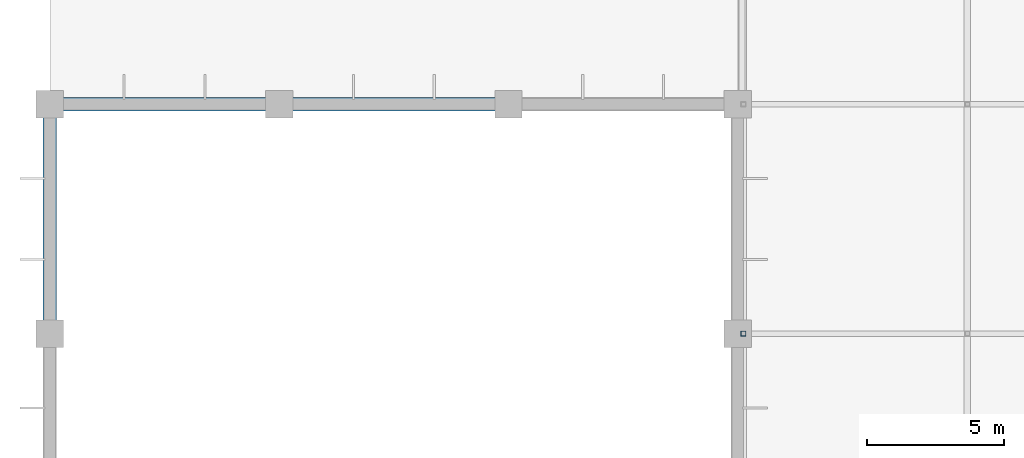
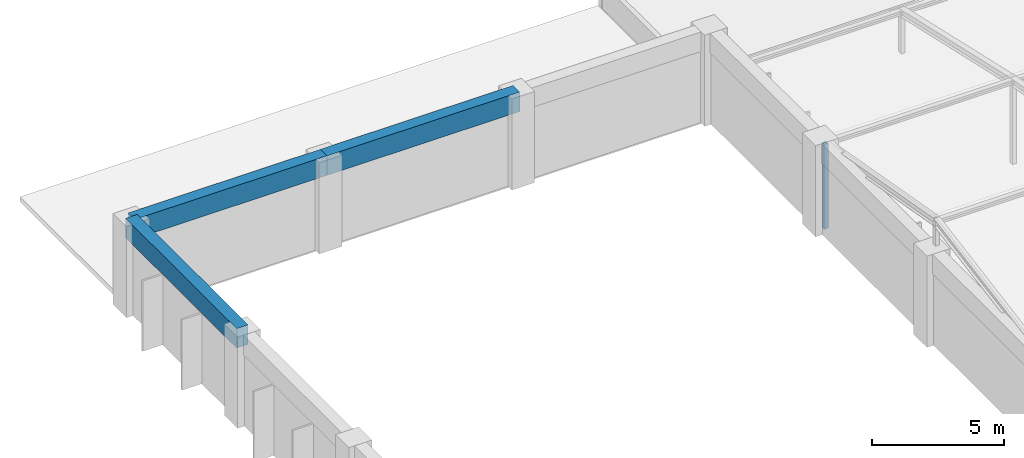
# One storey, part 12 of 34: 3 beams, 1 member.
"""IFC4 building model written with IfcOpenShell, lengths in metres."""

from ifc_helpers import new_model, si_unit, direction, frame, origin, origin_2d, place, context, subcontext, project, spatial, rectangle, hollow_rectangle, extrude, material, material_profile, profile_set, type_object, element, save


model = new_model("IFC4")

# Units and contexts
model_context = context("Model", 3, precision=1e-05, world=origin(), true_north=direction((0.0, 1.0)))
body_context = subcontext(model_context, "Body", "Model", "MODEL_VIEW")
ifc_project = project(units=[si_unit("LENGTHUNIT", "METRE"), si_unit("AREAUNIT", "SQUARE_METRE"), si_unit("VOLUMEUNIT", "CUBIC_METRE"), si_unit("PLANEANGLEUNIT", "RADIAN"), si_unit("MASSUNIT", "GRAM", prefix="KILO")], contexts=[model_context])

# Site, building, storey
site_placement = place(None, origin())
site = spatial("IfcSite", under=ifc_project, at=site_placement, CompositionType="ELEMENT")
building_placement = place(site_placement, origin())
building = spatial("IfcBuilding", under=site, at=building_placement, Name="Xuanlan Plaza Opera House", CompositionType="ELEMENT")
storey_placement = place(building_placement, frame((0.0, 0.0, 27.89990234375)))
storey = spatial("IfcBuildingStorey", under=building, at=storey_placement, Name="L06", CompositionType="ELEMENT", Elevation=27.89990234375)

# Beams
ifc_material_1 = material(Name="Concrete C40", Category="concrete")
ifc_material_profile_1 = material_profile(ifc_material_1, rectangle(XDim=0.5, YDim=0.89990234375, at=origin_2d()), Name="RC-BM 500x900")
ifc_profile_set_1 = profile_set([ifc_material_profile_1], Name="Concrete C40")
beam_type = type_object("IfcBeamType", Name="STR-BM-B-03", PredefinedType="BEAM", material=ifc_profile_set_1)
beam_1_placement = place(storey_placement, frame((42.0, 67.199951171875, 3.75), z_axis=(0.0, 1.0, 0.0), x_axis=(-1.0, 0.0, 0.0)))
element("IfcBeam", 1, at=beam_1_placement, inside=storey, type_object=beam_type, Name="Fly Tower Ring Beam Y L06 6/I-J", PredefinedType="BEAM", context=body_context, shape_type="SweptSolid", body=[
    extrude(rectangle(XDim=0.5, YDim=0.89990234375, at=origin_2d()), origin(), (0.0, 0.0, 1.0), 8.400146484375),
])
beam_2_placement = place(storey_placement, frame((42.0, 75.60009765625, 3.75), z_axis=(1.0, 0.0, 0.0), x_axis=(0.0, 1.0, 0.0)))
element("IfcBeam", 2, at=beam_2_placement, inside=storey, type_object=beam_type, Name="Fly Tower Ring Beam X L06 6-7/J", PredefinedType="BEAM", context=body_context, shape_type="SweptSolid", body=[
    extrude(rectangle(XDim=0.5, YDim=0.89990234375, at=origin_2d()), origin(), (0.0, 0.0, 1.0), 8.39990234375),
])
beam_3_placement = place(storey_placement, frame((50.39990234375, 75.60009765625, 3.75), z_axis=(1.0, 0.0, 0.0), x_axis=(0.0, 1.0, 0.0)))
element("IfcBeam", 3, at=beam_3_placement, inside=storey, type_object=beam_type, Name="Fly Tower Ring Beam X L06 7-8/J", PredefinedType="BEAM", context=body_context, shape_type="SweptSolid", body=[
    extrude(rectangle(XDim=0.5, YDim=0.89990234375, at=origin_2d()), origin(), (0.0, 0.0, 1.0), 8.400146484375),
])

# Member
ifc_material_2 = material(Name="Steel Q355B", Category="steel")
ifc_material_profile_2 = material_profile(ifc_material_2, hollow_rectangle(XDim=0.179931640625, YDim=0.179931640625, WallThickness=0.010009765625, at=origin_2d()), Name="SHS 180x180x10")
ifc_profile_set_2 = profile_set([ifc_material_profile_2], Name="Steel Q355B")
member_type = type_object("IfcMemberType", Name="STR-MEM-ST-M2", PredefinedType="STRUT", material=ifc_profile_set_2)
member_placement = place(storey_placement, frame((67.39990234375, 67.199951171875, -0.119873046875), z_axis=(0.0, 0.0, 1.0), x_axis=(1.0, 0.0, 0.0)))
element("IfcMember", 4, at=member_placement, inside=storey, type_object=member_type, Name="Auditorium Vault Arch Post 01-4", PredefinedType="STRUT", context=body_context, shape_type="SweptSolid", body=[
    extrude(hollow_rectangle(XDim=0.179931640625, YDim=0.179931640625, WallThickness=0.010009765625, at=origin_2d()), origin(), (0.0, 0.0, 1.0), 3.89990234375),
])

save(model, "model.ifc")
